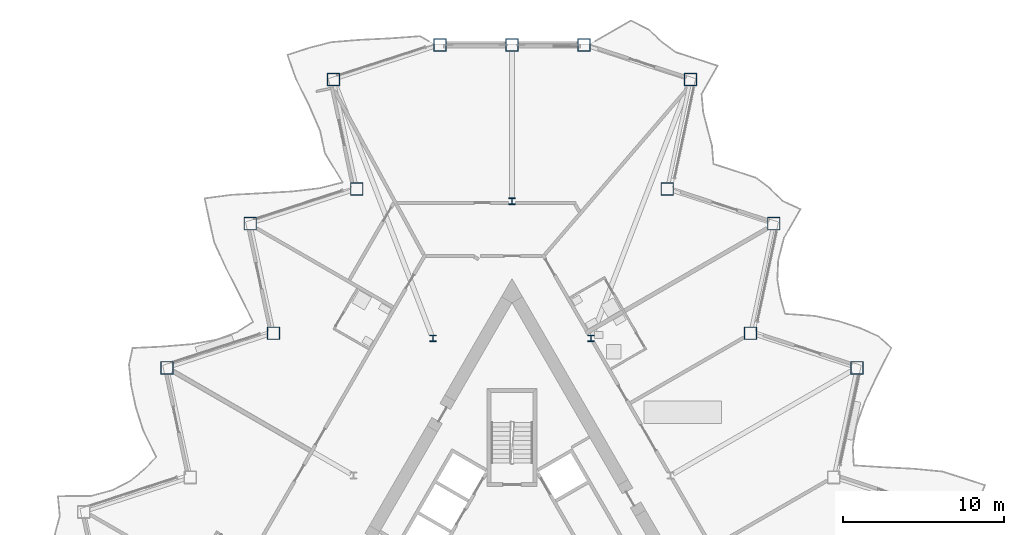
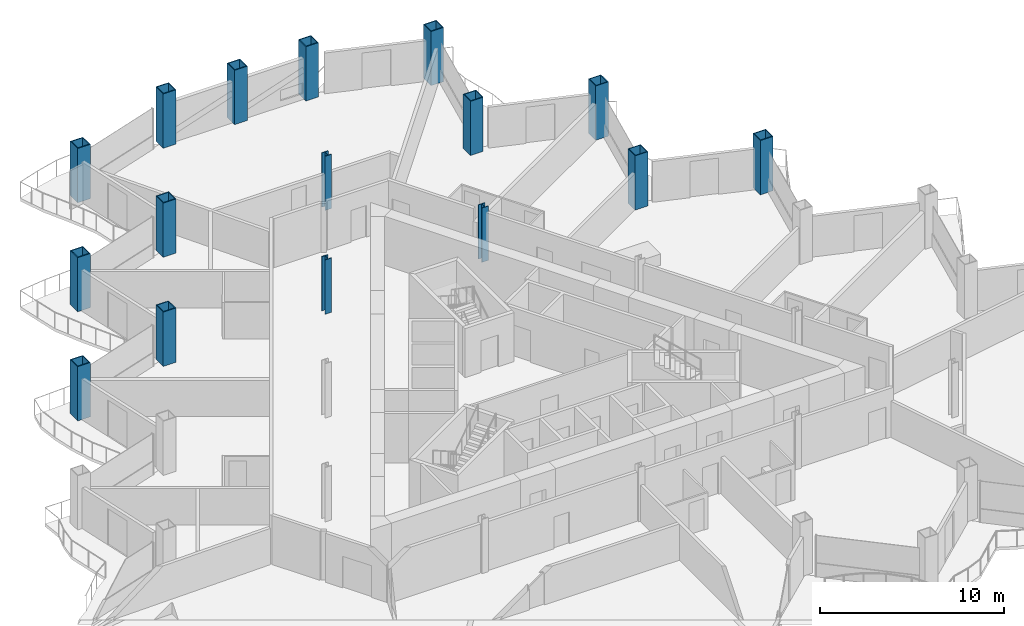
# One storey, part 2 of 22: 16 columns.
"""IFC4 building model written with IfcOpenShell, lengths in metres."""

from ifc_helpers import new_model, si_unit, direction, frame, origin, origin_2d, place, context, subcontext, project, spatial, hollow_rectangle, i_section, extrude, material, material_profile, profile_set, type_object, element, save


model = new_model("IFC4")

# Units and contexts
model_context = context("Model", 3, precision=1e-05, world=origin(), true_north=direction((0.0, 1.0)))
body_context = subcontext(model_context, "Body", "Model", "MODEL_VIEW")
ifc_project = project(units=[si_unit("LENGTHUNIT", "METRE"), si_unit("AREAUNIT", "SQUARE_METRE"), si_unit("VOLUMEUNIT", "CUBIC_METRE"), si_unit("PLANEANGLEUNIT", "RADIAN"), si_unit("MASSUNIT", "GRAM", prefix="KILO")], contexts=[model_context])

# Site, building, storey
site_placement = place(None, origin())
site = spatial("IfcSite", under=ifc_project, at=site_placement, CompositionType="ELEMENT")
building_placement = place(site_placement, origin())
building = spatial("IfcBuilding", under=site, at=building_placement, Name="Cormorant Prow Tower", CompositionType="ELEMENT")
storey_placement = place(building_placement, frame((0.0, 0.0, 190.800048828125)))
storey = spatial("IfcBuildingStorey", under=building, at=storey_placement, Name="L41", CompositionType="ELEMENT", Elevation=190.800048828125)

# Columns
ifc_material_1 = material(Name="Structural steel ASTM A572 Gr 50", Category="steel")
ifc_material_profile_1 = material_profile(ifc_material_1, hollow_rectangle(XDim=0.800048828125, YDim=0.800048828125, WallThickness=0.050048828125, at=origin_2d()), Name="Box 800x800x50")
ifc_profile_set_1 = profile_set([ifc_material_profile_1], Name="Structural steel ASTM A572 Gr 50")
column_type_1 = type_object("IfcColumnType", Name="Perimeter box column 800x800x50", PredefinedType="COLUMN", material=ifc_profile_set_1)
for number, where, z_axis, x_axis, name in (
    (1, (21.409423828125, 12.36083984375, 0.0), (0.0, 0.0, 1.0), (1.0, 0.0, 0.0), "Perimeter column C4 at ENE05 L41"),
    (2, (14.7998046875, 14.50830078125, 0.0), (0.0, 0.0, 1.0), (1.0, 0.0, 0.0), "Perimeter column C4 at ENE06 L41"),
    (3, (16.244873046875, 21.306396484375, 0.0), (0.0, 0.0, 1.0), (1.0, 0.0, 0.0), "Perimeter column C4 at ENE07 L41"),
    (4, (9.63525390625, 23.453857421875, 0.0), (0.0, 0.0, 1.0), (1.0, 0.0, 0.0), "Perimeter column C4 at ENE08 L41"),
    (5, (11.080078125, 30.251953125, 0.0), (0.0, 0.0, 1.0), (1.0, 0.0, 0.0), "Perimeter column C4 at ENE09 L41"),
    (6, (4.470458984375, 32.3994140625, 0.0), (0.0, 0.0, 1.0), (1.0, 0.0, 0.0), "Perimeter column C4 at N00 L41"),
    (7, (0.0, 32.3994140625, 0.0), (0.0, 0.0, 1.0), (1.0, 0.0, 0.0), "Perimeter column C4 at N01 L41"),
    (8, (-4.470458984375, 32.3994140625, 0.0), (0.0, 0.0, 1.0), (1.0, 0.0, 0.0), "Perimeter column C4 at WNW00 L41"),
    (9, (-11.080078125, 30.251953125, 0.0), (0.0, 0.0, 1.0), (1.0, 0.0, 0.0), "Perimeter column C4 at WNW01 L41"),
    (10, (-9.63525390625, 23.453857421875, 0.0), (0.0, 0.0, 1.0), (1.0, 0.0, 0.0), "Perimeter column C4 at WNW02 L41"),
    (11, (-16.244873046875, 21.306396484375, 0.0), (0.0, 0.0, 1.0), (1.0, 0.0, 0.0), "Perimeter column C4 at WNW03 L41"),
    (12, (-14.7998046875, 14.50830078125, 0.0), (0.0, 0.0, 1.0), (1.0, 0.0, 0.0), "Perimeter column C4 at WNW04 L41"),
    (13, (-21.409423828125, 12.36083984375, 0.0), (0.0, 0.0, 1.0), (1.0, 0.0, 0.0), "Perimeter column C4 at WNW05 L41"),
):
    element("IfcColumn", number, at=place(storey_placement, frame(where, z_axis=z_axis, x_axis=x_axis)), inside=storey, type_object=column_type_1, Name=name, PredefinedType="COLUMN", context=body_context, shape_type="SweptSolid", body=[
        extrude(hollow_rectangle(XDim=0.800048828125, YDim=0.800048828125, WallThickness=0.050048828125, at=origin_2d()), origin(), (0.0, 0.0, 1.0), 3.599853515625),
    ])
ifc_material_2 = material(Name="Structural steel ASTM A992 Gr 50", Category="steel")
ifc_material_profile_2 = material_profile(ifc_material_2, i_section(OverallWidth=0.403564453125, OverallDepth=0.407470703125, WebThickness=0.027099609375, FlangeThickness=0.043701171875, at=origin_2d()), Name="W14x233")
ifc_profile_set_2 = profile_set([ifc_material_profile_2], Name="Structural steel ASTM A992 Gr 50")
column_type_2 = type_object("IfcColumnType", Name="Ring column W14x233", PredefinedType="COLUMN", material=ifc_profile_set_2)
for number, where, z_axis, x_axis, name in (
    (14, (0.0, 22.69775390625, 0.0), (0.0, 0.0, 1.0), (1.0, 0.0, 0.0), "Ring column 1 L41"),
    (15, (-4.914306640625, 14.186279296875, 0.0), (0.0, 0.0, 1.0), (1.0, 0.0, 0.0), "Ring column 2 L41"),
    (16, (4.914306640625, 14.186279296875, 0.0), (0.0, 0.0, 1.0), (1.0, 0.0, 0.0), "Ring column 12 L41"),
):
    element("IfcColumn", number, at=place(storey_placement, frame(where, z_axis=z_axis, x_axis=x_axis)), inside=storey, type_object=column_type_2, Name=name, PredefinedType="COLUMN", context=body_context, shape_type="SweptSolid", body=[
        extrude(i_section(OverallWidth=0.403564453125, OverallDepth=0.407470703125, WebThickness=0.027099609375, FlangeThickness=0.043701171875, at=origin_2d()), origin(), (0.0, 0.0, 1.0), 3.599853515625),
    ])

save(model, "model.ifc")
